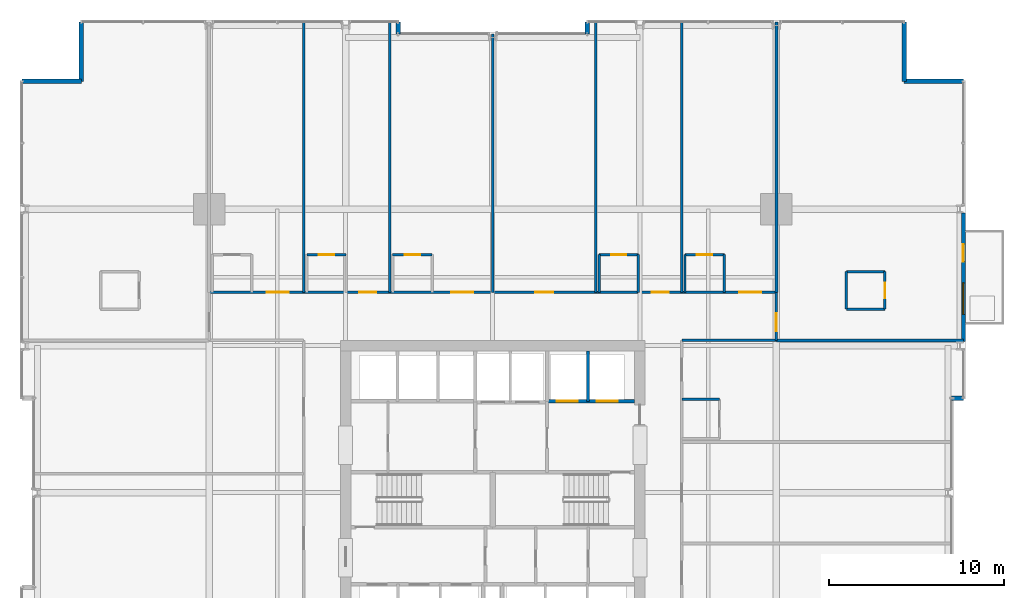
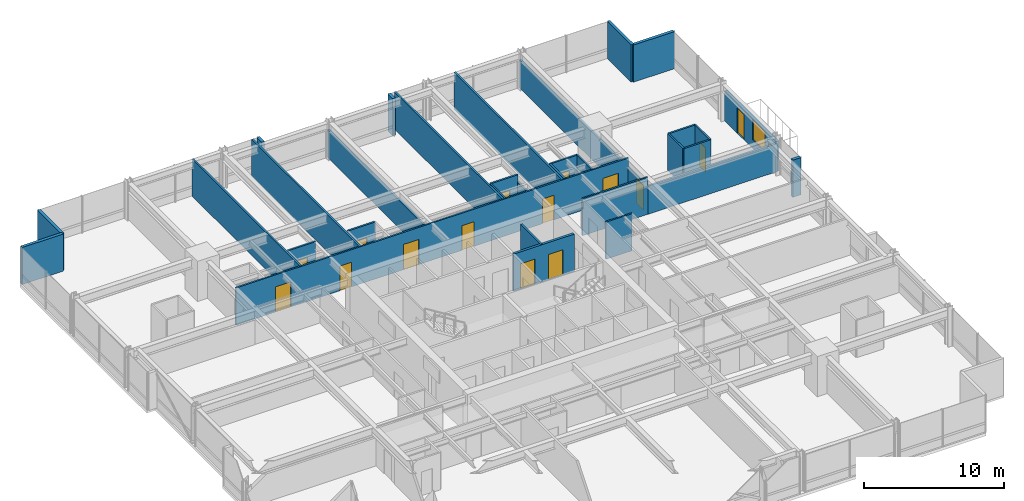
# One storey, part 33 of 38: 33 walls, 15 doors, 1 window, 16 openings.
"""IFC4 building model written with IfcOpenShell, lengths in metres."""

import ifcopenshell
import ifcopenshell.guid

model = None  # the IFC model being written
_history = None  # IfcOwnerHistory: only IFC2X3 demands one
_inside = {}  # id of a spatial element -> (the spatial element, [elements in it])
_under = {}  # id of a project, library or spatial element -> (it, [spatial elements below it])
_declared = {}  # id of a project -> (the project, [libraries it declares])
_typed = {}  # id of a type object -> (the type object, [elements of that type])
_made_of = {}  # id of a material, layer set ... -> (it, [elements and type objects made of it])


def new_model(schema):
    """Start an empty IFC model of exactly this schema.

    Asked for "IFC4X3", IfcOpenShell would pick the latest addendum, in which some entities
    have other attributes; the version numbers below select the first issue.
    IFC2X3 requires an IfcOwnerHistory on every rooted entity: one is made here for all.
    """
    global model, _history
    if schema == "IFC4X3":
        model = ifcopenshell.file(schema_version=(4, 3, 0, 0))
    else:
        model = ifcopenshell.file(schema=schema)
    _inside.clear()
    _under.clear()
    _declared.clear()
    _typed.clear()
    _made_of.clear()
    _history = None
    if model.schema == "IFC2X3":
        org = make("IfcOrganization", Name="unknown")
        user = make(
            "IfcPersonAndOrganization",
            ThePerson=make("IfcPerson", FamilyName="unknown"),
            TheOrganization=org,
        )
        app = make(
            "IfcApplication",
            ApplicationDeveloper=org,
            Version="unknown",
            ApplicationFullName="unknown",
            ApplicationIdentifier="unknown",
        )
        _history = make(
            "IfcOwnerHistory",
            OwningUser=user,
            OwningApplication=app,
            ChangeAction="ADDED",
            CreationDate=0,
        )
    return model


def make(cls, **values):
    """One entity of the class cls with the attributes given. An attribute that is None is left unset."""
    return model.create_entity(
        cls, **{name: value for name, value in values.items() if value is not None}
    )


def rooted(cls, **values):
    """An entity with a GlobalId (a new one), such as an element, a storey or a relation."""
    return make(cls, GlobalId=ifcopenshell.guid.new(), OwnerHistory=_history, **values)


def si_unit(unit_type, name, prefix=None):
    """IfcSIUnit, for example si_unit("LENGTHUNIT", "METRE", prefix="MILLI")."""
    return make("IfcSIUnit", UnitType=unit_type, Prefix=prefix, Name=name)


def assignment(units):
    """IfcUnitAssignment: the units of a project."""
    return None if units is None else make("IfcUnitAssignment", Units=units)


def point(xyz):
    """IfcCartesianPoint."""
    return None if xyz is None else make("IfcCartesianPoint", Coordinates=xyz)


def direction(xyz):
    """IfcDirection."""
    return None if xyz is None else make("IfcDirection", DirectionRatios=xyz)


def frame(location, z_axis=None, x_axis=None):
    """IfcAxis2Placement3D, a coordinate frame: its origin and axes. An axis left out is left unset."""
    return make(
        "IfcAxis2Placement3D",
        Location=point(location),
        Axis=direction(z_axis),
        RefDirection=direction(x_axis),
    )


def frame_2d(location, x_axis=None):
    """IfcAxis2Placement2D, a coordinate frame in the plane: its origin and x axis."""
    return make(
        "IfcAxis2Placement2D", Location=point(location), RefDirection=direction(x_axis)
    )


def origin():
    """The frame at (0, 0, 0) with its axes left unset."""
    return frame((0.0, 0.0, 0.0))


def place(relative_to, where):
    """IfcLocalPlacement: puts the frame where relative to a parent placement (None: the world)."""
    return make(
        "IfcLocalPlacement", PlacementRelTo=relative_to, RelativePlacement=where
    )


def context(
    kind, dimensions, precision=None, world=None, true_north=None, identifier=None
):
    """IfcGeometricRepresentationContext, for example the 3D "Model" context."""
    return make(
        "IfcGeometricRepresentationContext",
        ContextIdentifier=identifier,
        ContextType=kind,
        CoordinateSpaceDimension=dimensions,
        Precision=precision,
        WorldCoordinateSystem=world,
        TrueNorth=true_north,
    )


def subcontext(parent, identifier, kind, view, scale=None):
    """IfcGeometricRepresentationSubContext, for example "Body" below "Model"."""
    return make(
        "IfcGeometricRepresentationSubContext",
        ContextIdentifier=identifier,
        ContextType=kind,
        ParentContext=parent,
        TargetScale=scale,
        TargetView=view,
    )


def project(units=None, contexts=None):
    """IfcProject with its units and contexts."""
    return rooted(
        "IfcProject",
        Name="project",
        RepresentationContexts=contexts,
        UnitsInContext=assignment(units),
    )


def spatial(cls, under=None, at=None, **own):
    """A site, building, storey or space (cls), placed at a placement, below another one or the project."""
    s = rooted(cls, ObjectPlacement=at, **own)
    if under is not None:
        _under.setdefault(under.id(), (under, []))[1].append(s)
    return s


def profile(cls, at=None, kind="AREA", **sizes):
    """A parametric profile (cls). Its sizes go by their IFC names, for example OverallWidth=200.0."""
    return make(cls, ProfileType=kind, Position=at, **sizes)


def rectangle(**sizes):
    """IfcRectangleProfileDef."""
    return profile("IfcRectangleProfileDef", **sizes)


def extrude(swept, where, along, depth):
    """IfcExtrudedAreaSolid: the profile swept, set in the frame where, extruded along a direction by depth."""
    return make(
        "IfcExtrudedAreaSolid",
        SweptArea=swept,
        Position=where,
        ExtrudedDirection=direction(along),
        Depth=depth,
    )


def shape(context_of_items, identifier, shape_type, items):
    """IfcShapeRepresentation: the items that make up one representation, for example the "Body"."""
    return make(
        "IfcShapeRepresentation",
        ContextOfItems=context_of_items,
        RepresentationIdentifier=identifier,
        RepresentationType=shape_type,
        Items=items,
    )


def material(Name=None, Category=None):
    """IfcMaterial."""
    return make("IfcMaterial", Name=Name, Category=Category)


def layer(
    of_material, thickness, ventilated=None, Name=None, Category=None, Priority=None
):
    """IfcMaterialLayer: one layer of a wall or slab, of a material (None: an air gap)."""
    return make(
        "IfcMaterialLayer",
        Material=of_material,
        LayerThickness=thickness,
        IsVentilated=ventilated,
        Name=Name,
        Category=Category,
        Priority=Priority,
    )


def layer_set(layers, Name=None):
    """IfcMaterialLayerSet."""
    return make("IfcMaterialLayerSet", MaterialLayers=layers, LayerSetName=Name)


def made_of(thing, what):
    """Note that an element or type object is made of a material, layer set ...; save() writes the relation."""
    if what is not None:
        _made_of.setdefault(what.id(), (what, []))[1].append(thing)
    return thing


def type_object(cls, material=None, **own):
    """A type object (cls), such as IfcWallType, which elements share."""
    return made_of(rooted(cls, **own), material)


def element(
    cls,
    number,
    at=None,
    inside=None,
    cuts=None,
    type_object=None,
    material=None,
    context=None,
    identifier="Body",
    shape_type=None,
    held_by="IfcProductDefinitionShape",
    body=None,
    shapes=None,
    **own,
):
    """One element of the class cls, such as IfcWall. Its Tag is "e" and its number.

    at: its placement. inside: the storey or other place that contains it. cuts: it is an
    opening in that element (IfcRelVoidsElement). A single representation is given by context,
    identifier, shape_type and body (its items); several are given by shapes. held_by: the class
    of the entity that holds the representations. save() writes the other relations.
    """
    e = rooted(cls, Tag="e%d" % number, ObjectPlacement=at, **own)
    if body is not None:
        shapes = [shape(context, identifier, shape_type, body)]
    if shapes is not None:
        e.Representation = make(held_by, Representations=shapes)
    if inside is not None:
        _inside.setdefault(inside.id(), (inside, []))[1].append(e)
    if cuts is not None:
        rooted(
            "IfcRelVoidsElement", RelatingBuildingElement=cuts, RelatedOpeningElement=e
        )
    if type_object is not None:
        _typed.setdefault(type_object.id(), (type_object, []))[1].append(e)
    return made_of(e, material)


def fill(opening, filler):
    """IfcRelFillsElement: the door or window that sits in an opening."""
    return rooted(
        "IfcRelFillsElement",
        RelatingOpeningElement=opening,
        RelatedBuildingElement=filler,
    )


def aggregate(whole, parts):
    """IfcRelAggregates: a whole, such as a stair, and the parts it consists of."""
    return rooted("IfcRelAggregates", RelatingObject=whole, RelatedObjects=parts)


def save(model, path):
    """Write the relations noted so far, then the file.

    IfcRelAggregates (storeys below a building ...), IfcRelContainedInSpatialStructure (elements
    in a storey), IfcRelDefinesByType, IfcRelAssociatesMaterial and IfcRelDeclares: one each for
    every whole, place, type object, material and project.
    """
    for whole, parts in _under.values():
        aggregate(whole, parts)
    for where, things in _inside.values():
        rooted(
            "IfcRelContainedInSpatialStructure",
            RelatedElements=things,
            RelatingStructure=where,
        )
    for kind, things in _typed.values():
        rooted("IfcRelDefinesByType", RelatedObjects=things, RelatingType=kind)
    for what, things in _made_of.values():
        rooted("IfcRelAssociatesMaterial", RelatedObjects=things, RelatingMaterial=what)
    for by, libraries in _declared.values():
        rooted("IfcRelDeclares", RelatingContext=by, RelatedDefinitions=libraries)
    model.write(path)


model = new_model("IFC4")

# Units and contexts
model_context = context("Model", 3, precision=1e-05, world=origin(), true_north=direction((0.0, 1.0)))
body_context = subcontext(model_context, "Body", "Model", "MODEL_VIEW")
ifc_project = project(units=[si_unit("LENGTHUNIT", "METRE"), si_unit("AREAUNIT", "SQUARE_METRE"), si_unit("VOLUMEUNIT", "CUBIC_METRE"), si_unit("PLANEANGLEUNIT", "RADIAN"), si_unit("MASSUNIT", "GRAM", prefix="KILO")], contexts=[model_context])

# Site, building, storey
site_placement = place(None, origin())
site = spatial("IfcSite", under=ifc_project, at=site_placement, CompositionType="ELEMENT")
building_placement = place(site_placement, origin())
building = spatial("IfcBuilding", under=site, at=building_placement, Name="Drelvath Grand Hotel", CompositionType="ELEMENT")
storey_placement = place(building_placement, frame((0.0, 0.0, 71.699951171875)))
storey = spatial("IfcBuildingStorey", under=building, at=storey_placement, Name="L17", CompositionType="ELEMENT", Elevation=71.699951171875)

# Wall, openings, doors
ifc_material_1 = material(Name="Concrete C40/50", Category="concrete")
ifc_layer_1 = layer(ifc_material_1, 0.199951171875)
ifc_layer_set_1 = layer_set([ifc_layer_1], Name="Concrete C40/50")
wall_type_1 = type_object("IfcWallType", Name="Core Hoistway Fire Wall 200", PredefinedType="SOLIDWALL", material=ifc_layer_set_1)
wall_1_placement = place(storey_placement, frame((3.10009765625, 32.219970703125, 0.0), z_axis=(0.0, 0.0, 1.0), x_axis=(1.0, 0.0, 0.0)))
wall_1 = element("IfcWall", 1, at=wall_1_placement, inside=storey, type_object=wall_type_1, Name="L17 FSAE Hoistway Front Wall", PredefinedType="SOLIDWALL", context=body_context, shape_type="SweptSolid", body=[
    extrude(rectangle(XDim=5.0, YDim=0.199951171875, at=frame_2d((2.5, 0.0))), origin(), (0.0, 0.0, 1.0), 3.239990234375),
])
opening_1_placement = place(wall_1_placement, frame((0.550048828125, 0.0, 0.0)))
opening_1 = element("IfcOpeningElement", 2, at=opening_1_placement, cuts=wall_1, Name="Opening LD-FSAE-1", PredefinedType="OPENING", context=body_context, shape_type="SweptSolid", body=[
    extrude(rectangle(XDim=1.199951171875, YDim=2.199951171875, at=frame_2d((0.60009765625, 1.10009765625))), frame((0.0, 0.10986328125, 0.0), z_axis=(0.0, -1.0, 0.0), x_axis=(1.0, 0.0, 0.0)), (0.0, 0.0, 1.0), 0.219970703125),
])
opening_2_placement = place(wall_1_placement, frame((2.85009765625, 0.0, 0.0)))
opening_2 = element("IfcOpeningElement", 3, at=opening_2_placement, cuts=wall_1, Name="Opening LD-FSAE-2", PredefinedType="OPENING", context=body_context, shape_type="SweptSolid", body=[
    extrude(rectangle(XDim=1.199951171875, YDim=2.199951171875, at=frame_2d((0.60009765625, 1.10009765625))), frame((0.0, 0.10986328125, 0.0), z_axis=(0.0, -1.0, 0.0), x_axis=(1.0, 0.0, 0.0)), (0.0, 0.0, 1.0), 0.219970703125),
])
ifc_material_2 = material(Name="Stainless Steel S355", Category="steel")
door_type_1 = type_object("IfcDoorType", Name="FSAE Lift Sliding Landing Door 1200x2200", OperationType="NOTDEFINED", PredefinedType="DOOR", material=ifc_material_2)
door_1_placement = place(opening_1_placement, origin())
door_1 = element("IfcDoor", 4, at=door_1_placement, inside=storey, type_object=door_type_1, Name="L17 Lift FSAE-1 Landing Door", OperationType="SLIDING_TO_LEFT", OverallHeight=2.199951171875, OverallWidth=1.199951171875, PredefinedType="DOOR", context=body_context, shape_type="SweptSolid", body=[
    extrude(rectangle(XDim=1.199951171875, YDim=2.199951171875, at=frame_2d((0.60009765625, 1.10009765625))), frame((0.0, 0.02490234375, 0.0), z_axis=(0.0, -1.0, 0.0), x_axis=(1.0, 0.0, 0.0)), (0.0, 0.0, 1.0), 0.050048828125),
])
fill(opening_1, door_1)
door_2_placement = place(opening_2_placement, origin())
door_2 = element("IfcDoor", 5, at=door_2_placement, inside=storey, type_object=door_type_1, Name="L17 Lift FSAE-2 Landing Door", OperationType="SLIDING_TO_LEFT", OverallHeight=2.199951171875, OverallWidth=1.199951171875, PredefinedType="DOOR", context=body_context, shape_type="SweptSolid", body=[
    extrude(rectangle(XDim=1.199951171875, YDim=2.199951171875, at=frame_2d((0.60009765625, 1.10009765625))), frame((0.0, 0.02490234375, 0.0), z_axis=(0.0, -1.0, 0.0), x_axis=(1.0, 0.0, 0.0)), (0.0, 0.0, 1.0), 0.050048828125),
])
fill(opening_2, door_2)

# Wall
ifc_material_3 = material(Name="Gypsum Fireboard Partition")
ifc_layer_2 = layer(ifc_material_3, 0.1650390625)
ifc_layer_set_2 = layer_set([ifc_layer_2], Name="Gypsum Fireboard Partition")
wall_type_2 = type_object("IfcWallType", Name="Core Shaft Partition 165", PredefinedType="PARTITIONING", material=ifc_layer_set_2)
wall_2_placement = place(storey_placement, frame((5.449951171875, 32.219970703125, 0.0), z_axis=(0.0, 0.0, 1.0), x_axis=(0.0, 1.0, 0.0)))
element("IfcWall", 6, at=wall_2_placement, inside=storey, type_object=wall_type_2, Name="L17 FSAE Hoistway Divider", PredefinedType="PARTITIONING", context=body_context, shape_type="SweptSolid", body=[
    extrude(rectangle(XDim=2.880126953125, YDim=0.1650390625, at=frame_2d((1.43994140625, 0.0))), origin(), (0.0, 0.0, 1.0), 3.239990234375),
])

# Wall, openings, doors
ifc_layer_3 = layer(ifc_material_3, 0.135009765625)
ifc_layer_set_3 = layer_set([ifc_layer_3], Name="Gypsum Fireboard Partition")
wall_type_3 = type_object("IfcWallType", Name="Corridor Fire Barrier Wall 135", PredefinedType="PARTITIONING", material=ifc_layer_set_3)
wall_3_placement = place(storey_placement, frame((-16.199951171875, 38.449951171875, 0.0), z_axis=(0.0, 0.0, 1.0), x_axis=(1.0, 0.0, 0.0)))
wall_3 = element("IfcWall", 7, at=wall_3_placement, inside=storey, type_object=wall_type_3, Name="L17 North Corridor Wall", PredefinedType="PARTITIONING", context=body_context, shape_type="SweptSolid", body=[
    extrude(rectangle(XDim=32.39990234375, YDim=0.135009765625, at=frame_2d((16.199951171875, 0.0))), origin(), (0.0, 0.0, 1.0), 3.239990234375),
])
opening_3_placement = place(wall_3_placement, frame((3.284912109375, 0.0, 0.0)))
opening_3 = element("IfcOpeningElement", 8, at=opening_3_placement, cuts=wall_3, Name="Opening D-T1G4-033", PredefinedType="OPENING", context=body_context, shape_type="SweptSolid", body=[
    extrude(rectangle(XDim=1.260009765625, YDim=2.199951171875, at=frame_2d((0.6298828125, 1.10009765625))), frame((0.0, 0.077392578125, 0.0), z_axis=(0.0, -1.0, 0.0), x_axis=(1.0, 0.0, 0.0)), (0.0, 0.0, 1.0), 0.155029296875),
])
opening_4_placement = place(wall_3_placement, frame((8.589599609375, 0.0, 0.0)))
opening_4 = element("IfcOpeningElement", 9, at=opening_4_placement, cuts=wall_3, Name="Opening D-T1G4-035", PredefinedType="OPENING", context=body_context, shape_type="SweptSolid", body=[
    extrude(rectangle(XDim=0.9599609375, YDim=2.14990234375, at=frame_2d((0.47998046875, 1.074951171875))), frame((0.0, 0.077392578125, 0.0), z_axis=(0.0, -1.0, 0.0), x_axis=(1.0, 0.0, 0.0)), (0.0, 0.0, 1.0), 0.155029296875),
])
opening_5_placement = place(wall_3_placement, frame((13.839599609375, 0.0, 0.0)))
opening_5 = element("IfcOpeningElement", 10, at=opening_5_placement, cuts=wall_3, Name="Opening D-T1G4-037", PredefinedType="OPENING", context=body_context, shape_type="SweptSolid", body=[
    extrude(rectangle(XDim=1.260009765625, YDim=2.199951171875, at=frame_2d((0.6298828125, 1.10009765625))), frame((0.0, 0.077392578125, 0.0), z_axis=(0.0, -1.0, 0.0), x_axis=(1.0, 0.0, 0.0)), (0.0, 0.0, 1.0), 0.155029296875),
])
opening_6_placement = place(wall_3_placement, frame((18.635498046875, 0.0, 0.0)))
opening_6 = element("IfcOpeningElement", 11, at=opening_6_placement, cuts=wall_3, Name="Opening D-T1G4-038", PredefinedType="OPENING", context=body_context, shape_type="SweptSolid", body=[
    extrude(rectangle(XDim=1.02001953125, YDim=2.14990234375, at=frame_2d((0.510009765625, 1.074951171875))), frame((0.0, 0.077392578125, 0.0), z_axis=(0.0, -1.0, 0.0), x_axis=(1.0, 0.0, 0.0)), (0.0, 0.0, 1.0), 0.155029296875),
])
opening_7_placement = place(wall_3_placement, frame((25.280517578125, 0.0, 0.0)))
opening_7 = element("IfcOpeningElement", 12, at=opening_7_placement, cuts=wall_3, Name="Opening D-T1G4-040", PredefinedType="OPENING", context=body_context, shape_type="SweptSolid", body=[
    extrude(rectangle(XDim=0.9599609375, YDim=2.14990234375, at=frame_2d((0.47998046875, 1.074951171875))), frame((0.0, 0.077392578125, 0.0), z_axis=(0.0, -1.0, 0.0), x_axis=(1.0, 0.0, 0.0)), (0.0, 0.0, 1.0), 0.155029296875),
])
opening_8_placement = place(wall_3_placement, frame((30.284912109375, 0.0, 0.0)))
opening_8 = element("IfcOpeningElement", 13, at=opening_8_placement, cuts=wall_3, Name="Opening D-T1G4-042", PredefinedType="OPENING", context=body_context, shape_type="SweptSolid", body=[
    extrude(rectangle(XDim=1.260009765625, YDim=2.199951171875, at=frame_2d((0.6298828125, 1.10009765625))), frame((0.0, 0.077392578125, 0.0), z_axis=(0.0, -1.0, 0.0), x_axis=(1.0, 0.0, 0.0)), (0.0, 0.0, 1.0), 0.155029296875),
])
ifc_material_4 = material(Name="Hardwood Walnut Timber", Category="wood")
door_type_2 = type_object("IfcDoorType", Name="Amenity Meeting Fire Door 1020x2150", OperationType="NOTDEFINED", PredefinedType="DOOR", material=ifc_material_4)
door_3_placement = place(opening_6_placement, origin())
door_3 = element("IfcDoor", 14, at=door_3_placement, inside=storey, type_object=door_type_2, Name="L17 Quiet Study Salon Entry Door", OperationType="SINGLE_SWING_LEFT", OverallHeight=2.14990234375, OverallWidth=1.02001953125, PredefinedType="DOOR", context=body_context, shape_type="SweptSolid", body=[
    extrude(rectangle(XDim=1.02001953125, YDim=2.14990234375, at=frame_2d((0.510009765625, 1.074951171875))), frame((0.0, 0.02490234375, 0.0), z_axis=(0.0, -1.0, 0.0), x_axis=(1.0, 0.0, 0.0)), (0.0, 0.0, 1.0), 0.050048828125),
])
fill(opening_6, door_3)
door_type_3 = type_object("IfcDoorType", Name="Guestroom Entrance Fire Door 960x2150", OperationType="NOTDEFINED", PredefinedType="DOOR", material=ifc_material_4)
door_4_placement = place(opening_4_placement, origin())
door_4 = element("IfcDoor", 15, at=door_4_placement, inside=storey, type_object=door_type_3, Name="L17 Deluxe Guest Room Entry Door", OperationType="SINGLE_SWING_RIGHT", OverallHeight=2.14990234375, OverallWidth=0.9599609375, PredefinedType="DOOR", context=body_context, shape_type="SweptSolid", body=[
    extrude(rectangle(XDim=0.9599609375, YDim=2.14990234375, at=frame_2d((0.47998046875, 1.074951171875))), frame((0.0, 0.02490234375, 0.0), z_axis=(0.0, -1.0, 0.0), x_axis=(1.0, 0.0, 0.0)), (0.0, 0.0, 1.0), 0.050048828125),
])
fill(opening_4, door_4)
door_5_placement = place(opening_7_placement, origin())
door_5 = element("IfcDoor", 16, at=door_5_placement, inside=storey, type_object=door_type_3, Name="L17 Deluxe Guest Room Entry Door", OperationType="SINGLE_SWING_LEFT", OverallHeight=2.14990234375, OverallWidth=0.9599609375, PredefinedType="DOOR", context=body_context, shape_type="SweptSolid", body=[
    extrude(rectangle(XDim=0.9599609375, YDim=2.14990234375, at=frame_2d((0.47998046875, 1.074951171875))), frame((0.0, 0.02490234375, 0.0), z_axis=(0.0, -1.0, 0.0), x_axis=(1.0, 0.0, 0.0)), (0.0, 0.0, 1.0), 0.050048828125),
])
fill(opening_7, door_5)
door_type_4 = type_object("IfcDoorType", Name="Suite Entrance Fire Door 1260x2200", OperationType="NOTDEFINED", PredefinedType="DOOR", material=ifc_material_4)
door_6_placement = place(opening_3_placement, origin())
door_6 = element("IfcDoor", 17, at=door_6_placement, inside=storey, type_object=door_type_4, Name="L17 Corner Suite Entry Door", OperationType="SINGLE_SWING_RIGHT", OverallHeight=2.199951171875, OverallWidth=1.260009765625, PredefinedType="DOOR", context=body_context, shape_type="SweptSolid", body=[
    extrude(rectangle(XDim=1.260009765625, YDim=2.199951171875, at=frame_2d((0.6298828125, 1.10009765625))), frame((0.0, 0.02490234375, 0.0), z_axis=(0.0, -1.0, 0.0), x_axis=(1.0, 0.0, 0.0)), (0.0, 0.0, 1.0), 0.050048828125),
])
fill(opening_3, door_6)
door_7_placement = place(opening_5_placement, origin())
door_7 = element("IfcDoor", 18, at=door_7_placement, inside=storey, type_object=door_type_4, Name="L17 Corner Suite Entry Door", OperationType="SINGLE_SWING_RIGHT", OverallHeight=2.199951171875, OverallWidth=1.260009765625, PredefinedType="DOOR", context=body_context, shape_type="SweptSolid", body=[
    extrude(rectangle(XDim=1.260009765625, YDim=2.199951171875, at=frame_2d((0.6298828125, 1.10009765625))), frame((0.0, 0.02490234375, 0.0), z_axis=(0.0, -1.0, 0.0), x_axis=(1.0, 0.0, 0.0)), (0.0, 0.0, 1.0), 0.050048828125),
])
fill(opening_5, door_7)
door_8_placement = place(opening_8_placement, origin())
door_8 = element("IfcDoor", 19, at=door_8_placement, inside=storey, type_object=door_type_4, Name="L17 Corner Suite Entry Door", OperationType="SINGLE_SWING_LEFT", OverallHeight=2.199951171875, OverallWidth=1.260009765625, PredefinedType="DOOR", context=body_context, shape_type="SweptSolid", body=[
    extrude(rectangle(XDim=1.260009765625, YDim=2.199951171875, at=frame_2d((0.6298828125, 1.10009765625))), frame((0.0, 0.02490234375, 0.0), z_axis=(0.0, -1.0, 0.0), x_axis=(1.0, 0.0, 0.0)), (0.0, 0.0, 1.0), 0.050048828125),
])
fill(opening_8, door_8)

# Wall
wall_4_placement = place(storey_placement, frame((10.800048828125, 35.699951171875, 0.0), z_axis=(0.0, 0.0, 1.0), x_axis=(1.0, 0.0, 0.0)))
element("IfcWall", 20, at=wall_4_placement, inside=storey, type_object=wall_type_3, Name="L17 NE Spur Inner Wall", PredefinedType="PARTITIONING", context=body_context, shape_type="SweptSolid", body=[
    extrude(rectangle(XDim=5.39990234375, YDim=0.135009765625, at=frame_2d((2.699951171875, 0.0))), origin(), (0.0, 0.0, 1.0), 3.239990234375),
])

# Wall, opening, door
wall_5_placement = place(storey_placement, frame((16.199951171875, 35.699951171875, 0.0), z_axis=(0.0, 0.0, 1.0), x_axis=(0.0, 1.0, 0.0)))
wall_5 = element("IfcWall", 21, at=wall_5_placement, inside=storey, type_object=wall_type_3, Name="L17 North Corridor East End", PredefinedType="PARTITIONING", context=body_context, shape_type="SweptSolid", body=[
    extrude(rectangle(XDim=2.75, YDim=0.135009765625, at=frame_2d((1.375, 0.0))), origin(), (0.0, 0.0, 1.0), 2.451904296875),
])
opening_9_placement = place(wall_5_placement, frame((0.52001953125, 0.0, 0.0)))
opening_9 = element("IfcOpeningElement", 22, at=opening_9_placement, cuts=wall_5, Name="Opening D-T1G4-025", PredefinedType="OPENING", context=body_context, shape_type="SweptSolid", body=[
    extrude(rectangle(XDim=1.02001953125, YDim=2.14990234375, at=frame_2d((0.510009765625, 1.074951171875))), frame((0.0, 0.077392578125, 0.0), z_axis=(0.0, -1.0, 0.0), x_axis=(1.0, 0.0, 0.0)), (0.0, 0.0, 1.0), 0.155029296875),
])
door_9_placement = place(opening_9_placement, origin())
door_9 = element("IfcDoor", 23, at=door_9_placement, inside=storey, type_object=door_type_2, Name="L17 Corner Suite Entry Door", OperationType="SINGLE_SWING_RIGHT", OverallHeight=2.14990234375, OverallWidth=1.02001953125, PredefinedType="DOOR", context=body_context, shape_type="SweptSolid", body=[
    extrude(rectangle(XDim=1.02001953125, YDim=2.14990234375, at=frame_2d((0.510009765625, 1.074951171875))), frame((0.0, 0.02490234375, 0.0), z_axis=(0.0, -1.0, 0.0), x_axis=(1.0, 0.0, 0.0)), (0.0, 0.0, 1.0), 0.050048828125),
])
fill(opening_9, door_9)

# Walls
ifc_material_5 = material(Name="Moisture-Resistant Gypsum Board")
ifc_layer_4 = layer(ifc_material_5, 0.139892578125)
ifc_layer_set_4 = layer_set([ifc_layer_4], Name="Moisture-Resistant Gypsum Board")
wall_type_4 = type_object("IfcWallType", Name="En-Suite Plumbing Wall 140", PredefinedType="PLUMBINGWALL", material=ifc_layer_set_4)
for number, where, z_axis, x_axis, name in (
    (24, (20.199951171875, 37.47998046875, 0.0), (0.0, 0.0, 1.0), (1.0, 0.0, 0.0), "L17 Corner En-Suite South"),
    (25, (20.199951171875, 39.6298828125, 0.0), (0.0, 0.0, 1.0), (1.0, 0.0, 0.0), "L17 Corner En-Suite North"),
):
    element("IfcWall", number, at=place(storey_placement, frame(where, z_axis=z_axis, x_axis=x_axis)), inside=storey, type_object=wall_type_4, Name=name, PredefinedType="PLUMBINGWALL", context=body_context, shape_type="SweptSolid", body=[
        extrude(rectangle(XDim=2.199951171875, YDim=0.139892578125, at=frame_2d((1.10009765625, 0.0))), origin(), (0.0, 0.0, 1.0), 3.239990234375),
    ])
wall_6_placement = place(storey_placement, frame((20.199951171875, 37.47998046875, 0.0), z_axis=(0.0, 0.0, 1.0), x_axis=(0.0, 1.0, 0.0)))
element("IfcWall", 26, at=wall_6_placement, inside=storey, type_object=wall_type_4, Name="L17 Corner En-Suite West", PredefinedType="PLUMBINGWALL", context=body_context, shape_type="SweptSolid", body=[
    extrude(rectangle(XDim=2.14990234375, YDim=0.139892578125, at=frame_2d((1.074951171875, 0.0))), origin(), (0.0, 0.0, 1.0), 3.239990234375),
])

# Wall, opening, door
wall_7_placement = place(storey_placement, frame((22.39990234375, 37.47998046875, 0.0), z_axis=(0.0, 0.0, 1.0), x_axis=(0.0, 1.0, 0.0)))
wall_7 = element("IfcWall", 27, at=wall_7_placement, inside=storey, type_object=wall_type_4, Name="L17 Corner En-Suite East", PredefinedType="PLUMBINGWALL", context=body_context, shape_type="SweptSolid", body=[
    extrude(rectangle(XDim=2.14990234375, YDim=0.139892578125, at=frame_2d((1.074951171875, 0.0))), origin(), (0.0, 0.0, 1.0), 3.239990234375),
])
opening_10_placement = place(wall_7_placement, frame((0.6201171875, 0.0, 0.0)))
opening_10 = element("IfcOpeningElement", 28, at=opening_10_placement, cuts=wall_7, Name="Opening D-T1G4-024", PredefinedType="OPENING", context=body_context, shape_type="SweptSolid", body=[
    extrude(rectangle(XDim=0.8798828125, YDim=2.10009765625, at=frame_2d((0.43994140625, 1.050048828125))), frame((0.0, 0.079833984375, 0.0), z_axis=(0.0, -1.0, 0.0), x_axis=(1.0, 0.0, 0.0)), (0.0, 0.0, 1.0), 0.159912109375),
])
door_type_5 = type_object("IfcDoorType", Name="En-Suite Bathroom Door 880x2100", OperationType="NOTDEFINED", PredefinedType="DOOR", material=ifc_material_4)
door_10_placement = place(opening_10_placement, origin())
door_10 = element("IfcDoor", 29, at=door_10_placement, inside=storey, type_object=door_type_5, Name="L17 Corner En-Suite Door", OperationType="SINGLE_SWING_LEFT", OverallHeight=2.10009765625, OverallWidth=0.8798828125, PredefinedType="DOOR", context=body_context, shape_type="SweptSolid", body=[
    extrude(rectangle(XDim=0.8798828125, YDim=2.10009765625, at=frame_2d((0.43994140625, 1.050048828125))), frame((0.0, 0.02490234375, 0.0), z_axis=(0.0, -1.0, 0.0), x_axis=(1.0, 0.0, 0.0)), (0.0, 0.0, 1.0), 0.050048828125),
])
fill(opening_10, door_10)

wall_8_placement = place(storey_placement, frame((-10.6201171875, 40.60009765625, 0.0), z_axis=(0.0, 0.0, 1.0), x_axis=(1.0, 0.0, 0.0)))
wall_8 = element("IfcWall", 30, at=wall_8_placement, inside=storey, type_object=wall_type_4, Name="L17 En-Suite Front Wall", PredefinedType="PLUMBINGWALL", context=body_context, shape_type="SweptSolid", body=[
    extrude(rectangle(XDim=2.25, YDim=0.139892578125, at=frame_2d((1.125, 0.0))), origin(), (0.0, 0.0, 1.0), 3.239990234375),
])
opening_11_placement = place(wall_8_placement, frame((0.68505859375, 0.0, 0.0)))
opening_11 = element("IfcOpeningElement", 31, at=opening_11_placement, cuts=wall_8, Name="Opening D-T1G4-034", PredefinedType="OPENING", context=body_context, shape_type="SweptSolid", body=[
    extrude(rectangle(XDim=0.8798828125, YDim=2.10009765625, at=frame_2d((0.43994140625, 1.050048828125))), frame((0.0, 0.079833984375, 0.0), z_axis=(0.0, -1.0, 0.0), x_axis=(1.0, 0.0, 0.0)), (0.0, 0.0, 1.0), 0.159912109375),
])
door_11_placement = place(opening_11_placement, origin())
door_11 = element("IfcDoor", 32, at=door_11_placement, inside=storey, type_object=door_type_5, Name="L17 En-Suite Bathroom Door", OperationType="SINGLE_SWING_LEFT", OverallHeight=2.10009765625, OverallWidth=0.8798828125, PredefinedType="DOOR", context=body_context, shape_type="SweptSolid", body=[
    extrude(rectangle(XDim=0.8798828125, YDim=2.10009765625, at=frame_2d((0.43994140625, 1.050048828125))), frame((0.0, 0.02490234375, 0.0), z_axis=(0.0, -1.0, 0.0), x_axis=(1.0, 0.0, 0.0)), (0.0, 0.0, 1.0), 0.050048828125),
])
fill(opening_11, door_11)

wall_9_placement = place(storey_placement, frame((-5.7109375, 40.60009765625, 0.0), z_axis=(0.0, 0.0, 1.0), x_axis=(1.0, 0.0, 0.0)))
wall_9 = element("IfcWall", 33, at=wall_9_placement, inside=storey, type_object=wall_type_4, Name="L17 En-Suite Front Wall", PredefinedType="PLUMBINGWALL", context=body_context, shape_type="SweptSolid", body=[
    extrude(rectangle(XDim=2.25, YDim=0.139892578125, at=frame_2d((1.125, 0.0))), origin(), (0.0, 0.0, 1.0), 3.239990234375),
])
opening_12_placement = place(wall_9_placement, frame((0.68505859375, 0.0, 0.0)))
opening_12 = element("IfcOpeningElement", 34, at=opening_12_placement, cuts=wall_9, Name="Opening D-T1G4-036", PredefinedType="OPENING", context=body_context, shape_type="SweptSolid", body=[
    extrude(rectangle(XDim=0.8798828125, YDim=2.10009765625, at=frame_2d((0.43994140625, 1.050048828125))), frame((0.0, 0.079833984375, 0.0), z_axis=(0.0, -1.0, 0.0), x_axis=(1.0, 0.0, 0.0)), (0.0, 0.0, 1.0), 0.159912109375),
])
door_12_placement = place(opening_12_placement, origin())
door_12 = element("IfcDoor", 35, at=door_12_placement, inside=storey, type_object=door_type_5, Name="L17 En-Suite Bathroom Door", OperationType="SINGLE_SWING_LEFT", OverallHeight=2.10009765625, OverallWidth=0.8798828125, PredefinedType="DOOR", context=body_context, shape_type="SweptSolid", body=[
    extrude(rectangle(XDim=0.8798828125, YDim=2.10009765625, at=frame_2d((0.43994140625, 1.050048828125))), frame((0.0, 0.02490234375, 0.0), z_axis=(0.0, -1.0, 0.0), x_axis=(1.0, 0.0, 0.0)), (0.0, 0.0, 1.0), 0.050048828125),
])
fill(opening_12, door_12)

# Walls
wall_10_placement = place(storey_placement, frame((6.07080078125, 38.449951171875, 0.0), z_axis=(0.0, 0.0, 1.0), x_axis=(0.0, 1.0, 0.0)))
element("IfcWall", 36, at=wall_10_placement, inside=storey, type_object=wall_type_4, Name="L17 En-Suite Left Wall", PredefinedType="PLUMBINGWALL", context=body_context, shape_type="SweptSolid", body=[
    extrude(rectangle(XDim=2.150146484375, YDim=0.139892578125, at=frame_2d((1.0751953125, 0.0))), origin(), (0.0, 0.0, 1.0), 3.239990234375),
])
wall_11_placement = place(storey_placement, frame((8.32080078125, 38.449951171875, 0.0), z_axis=(0.0, 0.0, 1.0), x_axis=(0.0, 1.0, 0.0)))
element("IfcWall", 37, at=wall_11_placement, inside=storey, type_object=wall_type_4, Name="L17 En-Suite Right Wall", PredefinedType="PLUMBINGWALL", context=body_context, shape_type="SweptSolid", body=[
    extrude(rectangle(XDim=2.150146484375, YDim=0.139892578125, at=frame_2d((1.0751953125, 0.0))), origin(), (0.0, 0.0, 1.0), 2.617431640625),
])

# Wall, opening, door
wall_12_placement = place(storey_placement, frame((6.07080078125, 40.60009765625, 0.0), z_axis=(0.0, 0.0, 1.0), x_axis=(1.0, 0.0, 0.0)))
wall_12 = element("IfcWall", 38, at=wall_12_placement, inside=storey, type_object=wall_type_4, Name="L17 En-Suite Front Wall", PredefinedType="PLUMBINGWALL", context=body_context, shape_type="SweptSolid", body=[
    extrude(rectangle(XDim=2.25, YDim=0.139892578125, at=frame_2d((1.125, 0.0))), origin(), (0.0, 0.0, 1.0), 3.239990234375),
])
opening_13_placement = place(wall_12_placement, frame((0.68505859375, 0.0, 0.0)))
opening_13 = element("IfcOpeningElement", 39, at=opening_13_placement, cuts=wall_12, Name="Opening D-T1G4-039", PredefinedType="OPENING", context=body_context, shape_type="SweptSolid", body=[
    extrude(rectangle(XDim=0.8798828125, YDim=2.10009765625, at=frame_2d((0.43994140625, 1.050048828125))), frame((0.0, 0.079833984375, 0.0), z_axis=(0.0, -1.0, 0.0), x_axis=(1.0, 0.0, 0.0)), (0.0, 0.0, 1.0), 0.159912109375),
])
door_13_placement = place(opening_13_placement, origin())
door_13 = element("IfcDoor", 40, at=door_13_placement, inside=storey, type_object=door_type_5, Name="L17 En-Suite Bathroom Door", OperationType="SINGLE_SWING_RIGHT", OverallHeight=2.10009765625, OverallWidth=0.8798828125, PredefinedType="DOOR", context=body_context, shape_type="SweptSolid", body=[
    extrude(rectangle(XDim=0.8798828125, YDim=2.10009765625, at=frame_2d((0.43994140625, 1.050048828125))), frame((0.0, 0.02490234375, 0.0), z_axis=(0.0, -1.0, 0.0), x_axis=(1.0, 0.0, 0.0)), (0.0, 0.0, 1.0), 0.050048828125),
])
fill(opening_13, door_13)

# Walls
for number, where, z_axis, x_axis, name in (
    (41, (10.97998046875, 38.449951171875, 0.0), (0.0, 0.0, 1.0), (0.0, 1.0, 0.0), "L17 En-Suite Left Wall"),
    (42, (13.22998046875, 38.449951171875, 0.0), (0.0, 0.0, 1.0), (0.0, 1.0, 0.0), "L17 En-Suite Right Wall"),
):
    element("IfcWall", number, at=place(storey_placement, frame(where, z_axis=z_axis, x_axis=x_axis)), inside=storey, type_object=wall_type_4, Name=name, PredefinedType="PLUMBINGWALL", context=body_context, shape_type="SweptSolid", body=[
        extrude(rectangle(XDim=2.150146484375, YDim=0.139892578125, at=frame_2d((1.0751953125, 0.0))), origin(), (0.0, 0.0, 1.0), 3.239990234375),
    ])

# Wall, opening, door
wall_13_placement = place(storey_placement, frame((10.97998046875, 40.60009765625, 0.0), z_axis=(0.0, 0.0, 1.0), x_axis=(1.0, 0.0, 0.0)))
wall_13 = element("IfcWall", 43, at=wall_13_placement, inside=storey, type_object=wall_type_4, Name="L17 En-Suite Front Wall", PredefinedType="PLUMBINGWALL", context=body_context, shape_type="SweptSolid", body=[
    extrude(rectangle(XDim=2.25, YDim=0.139892578125, at=frame_2d((1.125, 0.0))), origin(), (0.0, 0.0, 1.0), 3.239990234375),
])
opening_14_placement = place(wall_13_placement, frame((0.68505859375, 0.0, 0.0)))
opening_14 = element("IfcOpeningElement", 44, at=opening_14_placement, cuts=wall_13, Name="Opening D-T1G4-041", PredefinedType="OPENING", context=body_context, shape_type="SweptSolid", body=[
    extrude(rectangle(XDim=0.8798828125, YDim=2.10009765625, at=frame_2d((0.43994140625, 1.050048828125))), frame((0.0, 0.079833984375, 0.0), z_axis=(0.0, -1.0, 0.0), x_axis=(1.0, 0.0, 0.0)), (0.0, 0.0, 1.0), 0.159912109375),
])
door_14_placement = place(opening_14_placement, origin())
door_14 = element("IfcDoor", 45, at=door_14_placement, inside=storey, type_object=door_type_5, Name="L17 En-Suite Bathroom Door", OperationType="SINGLE_SWING_RIGHT", OverallHeight=2.10009765625, OverallWidth=0.8798828125, PredefinedType="DOOR", context=body_context, shape_type="SweptSolid", body=[
    extrude(rectangle(XDim=0.8798828125, YDim=2.10009765625, at=frame_2d((0.43994140625, 1.050048828125))), frame((0.0, 0.02490234375, 0.0), z_axis=(0.0, -1.0, 0.0), x_axis=(1.0, 0.0, 0.0)), (0.0, 0.0, 1.0), 0.050048828125),
])
fill(opening_14, door_14)

# Walls
wall_14_placement = place(storey_placement, frame((10.800048828125, 32.330078125, 0.0), z_axis=(0.0, 0.0, 1.0), x_axis=(1.0, 0.0, 0.0)))
element("IfcWall", 46, at=wall_14_placement, inside=storey, type_object=wall_type_4, Name="L17 En-Suite Right Wall", PredefinedType="PLUMBINGWALL", context=body_context, shape_type="SweptSolid", body=[
    extrude(rectangle(XDim=2.14990234375, YDim=0.139892578125, at=frame_2d((1.074951171875, 0.0))), origin(), (0.0, 0.0, 1.0), 3.239990234375),
])
ifc_material_6 = material(Name="Gypsum Acoustic Partition")
ifc_layer_5 = layer(ifc_material_6, 0.14990234375)
ifc_layer_set_5 = layer_set([ifc_layer_5], Name="Gypsum Acoustic Partition")
wall_type_5 = type_object("IfcWallType", Name="Guestroom Demising Wall 150", PredefinedType="PARTITIONING", material=ifc_layer_set_5)
for number, where, z_axis, x_axis, name in (
    (47, (-10.800048828125, 38.449951171875, 0.0), (0.0, 0.0, 1.0), (0.0, 1.0, 0.0), "L17 North Demising 1"),
    (48, (-5.890869140625, 38.449951171875, 0.0), (0.0, 0.0, 1.0), (0.0, 1.0, 0.0), "L17 North Demising 2"),
):
    element("IfcWall", number, at=place(storey_placement, frame(where, z_axis=z_axis, x_axis=x_axis)), inside=storey, type_object=wall_type_5, Name=name, PredefinedType="PARTITIONING", context=body_context, shape_type="SweptSolid", body=[
        extrude(rectangle(XDim=15.429931640625, YDim=0.14990234375, at=frame_2d((7.71484375, 0.0))), origin(), (0.0, 0.0, 1.0), 3.239990234375),
    ])
wall_15_placement = place(storey_placement, frame((0.0, 38.449951171875, 0.0), z_axis=(0.0, 0.0, 1.0), x_axis=(0.0, 1.0, 0.0)))
element("IfcWall", 49, at=wall_15_placement, inside=storey, type_object=wall_type_5, Name="L17 North Demising 3", PredefinedType="PARTITIONING", context=body_context, shape_type="SweptSolid", body=[
    extrude(rectangle(XDim=14.75, YDim=0.14990234375, at=frame_2d((7.375, 0.0))), origin(), (0.0, 0.0, 1.0), 2.451904296875),
])
for number, where, z_axis, x_axis, name in (
    (50, (5.890869140625, 38.449951171875, 0.0), (0.0, 0.0, 1.0), (0.0, 1.0, 0.0), "L17 North Demising 4"),
    (51, (10.800048828125, 38.449951171875, 0.0), (0.0, 0.0, 1.0), (0.0, 1.0, 0.0), "L17 North Demising 5"),
):
    element("IfcWall", number, at=place(storey_placement, frame(where, z_axis=z_axis, x_axis=x_axis)), inside=storey, type_object=wall_type_5, Name=name, PredefinedType="PARTITIONING", context=body_context, shape_type="SweptSolid", body=[
        extrude(rectangle(XDim=15.429931640625, YDim=0.14990234375, at=frame_2d((7.71484375, 0.0))), origin(), (0.0, 0.0, 1.0), 3.239990234375),
    ])
ifc_layer_6 = layer(ifc_material_6, 0.1650390625)
ifc_layer_set_6 = layer_set([ifc_layer_6], Name="Gypsum Acoustic Partition")
wall_type_6 = type_object("IfcWallType", Name="Suite Demising Wall 165", PredefinedType="PARTITIONING", material=ifc_layer_set_6)
wall_16_placement = place(storey_placement, frame((16.199951171875, 38.449951171875, 0.0), z_axis=(0.0, 0.0, 1.0), x_axis=(0.0, 1.0, 0.0)))
element("IfcWall", 52, at=wall_16_placement, inside=storey, type_object=wall_type_6, Name="L17 NE Wing Boundary Wall", PredefinedType="PARTITIONING", context=body_context, shape_type="SweptSolid", body=[
    extrude(rectangle(XDim=15.429931640625, YDim=0.1650390625, at=frame_2d((7.71484375, 0.0))), origin(), (0.0, 0.0, 1.0), 2.451904296875),
])
wall_17_placement = place(storey_placement, frame((16.199951171875, 35.699951171875, 0.0), z_axis=(0.0, 0.0, 1.0), x_axis=(1.0, 0.0, 0.0)))
element("IfcWall", 53, at=wall_17_placement, inside=storey, type_object=wall_type_6, Name="L17 NE Corner South Wall", PredefinedType="PARTITIONING", context=body_context, shape_type="SweptSolid", body=[
    extrude(rectangle(XDim=10.679931640625, YDim=0.1650390625, at=frame_2d((5.33984375, 0.0))), origin(), (0.0, 0.0, 1.0), 2.451904296875),
])

# Wall, openings, window, door
ifc_material_7 = material(Name="Pale-Metal Insulated Aluminium Spandrel Assembly", Category="aluminium")
ifc_layer_7 = layer(ifc_material_7, 0.239990234375)
ifc_layer_set_7 = layer_set([ifc_layer_7], Name="Pale-Metal Insulated Aluminium Spandrel Assembly")
wall_type_7 = type_object("IfcWallType", Name="Tower Insulated Metal Spandrel Closure Wall 240", PredefinedType="STANDARD", material=ifc_layer_set_7)
wall_18_placement = place(storey_placement, frame((26.8798828125, 42.970947265625, 0.0), z_axis=(0.0, 0.0, 1.0), x_axis=(0.0, -1.0, 0.0)))
wall_18 = element("IfcWall", 54, at=wall_18_placement, inside=storey, type_object=wall_type_7, Name="L17 Exterior Terrace Door Bay Wall EN2", PredefinedType="STANDARD", context=body_context, shape_type="SweptSolid", body=[
    extrude(rectangle(XDim=7.341796875, YDim=0.239990234375, at=frame_2d((3.6708984375, 0.0))), origin(), (0.0, 0.0, 1.0), 2.629150390625),
])
opening_15_placement = place(wall_18_placement, frame((1.77099609375, 0.0, 0.0)))
opening_15 = element("IfcOpeningElement", 55, at=opening_15_placement, cuts=wall_18, Name="Opening TD-1000", PredefinedType="OPENING", context=body_context, shape_type="SweptSolid", body=[
    extrude(rectangle(XDim=1.0, YDim=2.199951171875, at=frame_2d((0.5, 1.10009765625))), frame((0.0, 0.1298828125, 0.0), z_axis=(0.0, -1.0, 0.0), x_axis=(1.0, 0.0, 0.0)), (0.0, 0.0, 1.0), 0.260009765625),
])
opening_16_placement = place(wall_18_placement, frame((3.98291015625, 0.0, 0.75)))
opening_16 = element("IfcOpeningElement", 56, at=opening_16_placement, cuts=wall_18, Name="Opening W-02", PredefinedType="OPENING", context=body_context, shape_type="SweptSolid", body=[
    extrude(rectangle(XDim=1.800048828125, YDim=1.779052734375, at=frame_2d((0.89990234375, 0.8896484375))), frame((0.0, 0.1298828125, 0.0), z_axis=(0.0, -1.0, 0.0), x_axis=(1.0, 0.0, 0.0)), (0.0, 0.0, 1.0), 0.260009765625),
])
ifc_material_8 = material(Name="Bronze Anodised Low-E Triple Glazing", Category="glass")
window_type = type_object("IfcWindowType", Name="Chicago Double-Pane Podium Window 1800x2400", PartitioningType="DOUBLE_PANEL_VERTICAL", PredefinedType="WINDOW", material=ifc_material_8)
window_placement = place(opening_16_placement, origin())
window = element("IfcWindow", 57, at=window_placement, inside=storey, type_object=window_type, Name="L17 Terrace Bay Companion Window EN2", OverallHeight=1.779052734375, OverallWidth=1.800048828125, PartitioningType="SINGLE_PANEL", PredefinedType="WINDOW", context=body_context, shape_type="SweptSolid", body=[
    extrude(rectangle(XDim=1.800048828125, YDim=1.779052734375, at=frame_2d((0.89990234375, 0.8896484375))), frame((0.0, 0.030029296875, 0.0), z_axis=(0.0, -1.0, 0.0), x_axis=(1.0, 0.0, 0.0)), (0.0, 0.0, 1.0), 0.06005859375),
])
fill(opening_16, window)
ifc_material_9 = material(Name="Anodised Aluminium Thermally Broken Glazed Door", Category="aluminium")
door_type_6 = type_object("IfcDoorType", Name="Terrace and Tree Balcony Glazed Door 1000x2200", OperationType="NOTDEFINED", PredefinedType="DOOR", material=ifc_material_9)
door_15_placement = place(opening_15_placement, origin())
door_15 = element("IfcDoor", 58, at=door_15_placement, inside=storey, type_object=door_type_6, Name="L17 Tree Balcony Door DOOR-L17-TBAL-1", OperationType="SINGLE_SWING_RIGHT", OverallHeight=2.199951171875, OverallWidth=1.0, PredefinedType="DOOR", context=body_context, shape_type="SweptSolid", body=[
    extrude(rectangle(XDim=1.0, YDim=2.199951171875, at=frame_2d((0.5, 1.10009765625))), frame((0.0, 0.02490234375, 0.0), z_axis=(0.0, -1.0, 0.0), x_axis=(1.0, 0.0, 0.0)), (0.0, 0.0, 1.0), 0.050048828125),
])
fill(opening_15, door_15)

# Walls
for number, where, z_axis, x_axis, name in (
    (59, (-26.8798828125, 50.5, 0.0), (0.0, 0.0, 1.0), (1.0, 0.0, 0.0), "L17 Notched Corner Return Spandrel Wall CNW1"),
    (60, (-23.5, 50.5, 0.0), (0.0, 0.0, 1.0), (0.0, 1.0, 0.0), "L17 Notched Corner Return Spandrel Wall CNW2"),
    (61, (23.5, 53.8798828125, 0.0), (0.0, 0.0, 1.0), (0.0, -1.0, 0.0), "L17 Notched Corner Return Spandrel Wall CNE1"),
    (62, (23.5, 50.5, 0.0), (0.0, 0.0, 1.0), (1.0, 0.0, 0.0), "L17 Notched Corner Return Spandrel Wall CNE2"),
):
    element("IfcWall", number, at=place(storey_placement, frame(where, z_axis=z_axis, x_axis=x_axis)), inside=storey, type_object=wall_type_7, Name=name, PredefinedType="STANDARD", context=body_context, shape_type="SweptSolid", body=[
        extrude(rectangle(XDim=3.3798828125, YDim=0.239990234375, at=frame_2d((1.68994140625, 0.0))), origin(), (0.0, 0.0, 1.0), 3.239990234375),
    ])
for number, where, z_axis, x_axis, name in (
    (63, (26.8798828125, 32.39990234375, 0.0), (0.0, 0.0, 1.0), (-1.0, 0.0, 0.0), "L17 Notched Corner Return Spandrel Wall RE1"),
    (64, (-5.39990234375, 53.8798828125, 0.0), (0.0, 0.0, 1.0), (0.0, -1.0, 0.0), "L17 Notched Corner Return Spandrel Wall RN1"),
    (65, (5.39990234375, 53.199951171875, 0.0), (0.0, 0.0, 1.0), (0.0, 1.0, 0.0), "L17 Notched Corner Return Spandrel Wall RN2"),
):
    element("IfcWall", number, at=place(storey_placement, frame(where, z_axis=z_axis, x_axis=x_axis)), inside=storey, type_object=wall_type_7, Name=name, PredefinedType="STANDARD", context=body_context, shape_type="SweptSolid", body=[
        extrude(rectangle(XDim=0.679931640625, YDim=0.239990234375, at=frame_2d((0.33984375, 0.0))), origin(), (0.0, 0.0, 1.0), 3.239990234375),
    ])

save(model, "model.ifc")
